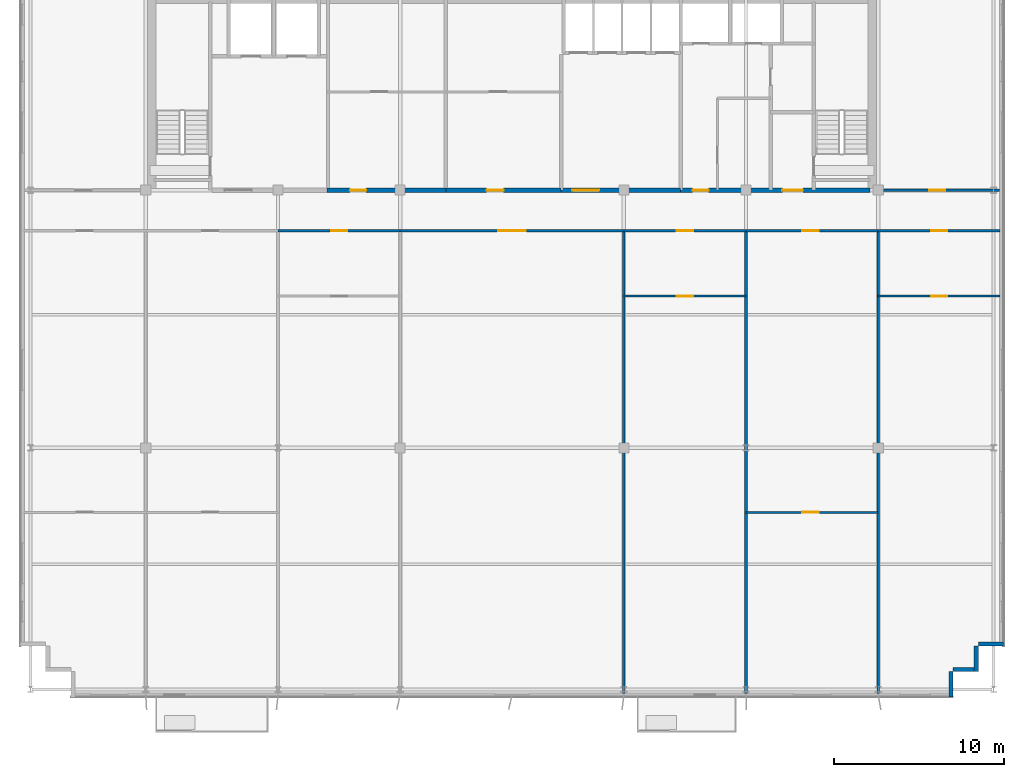
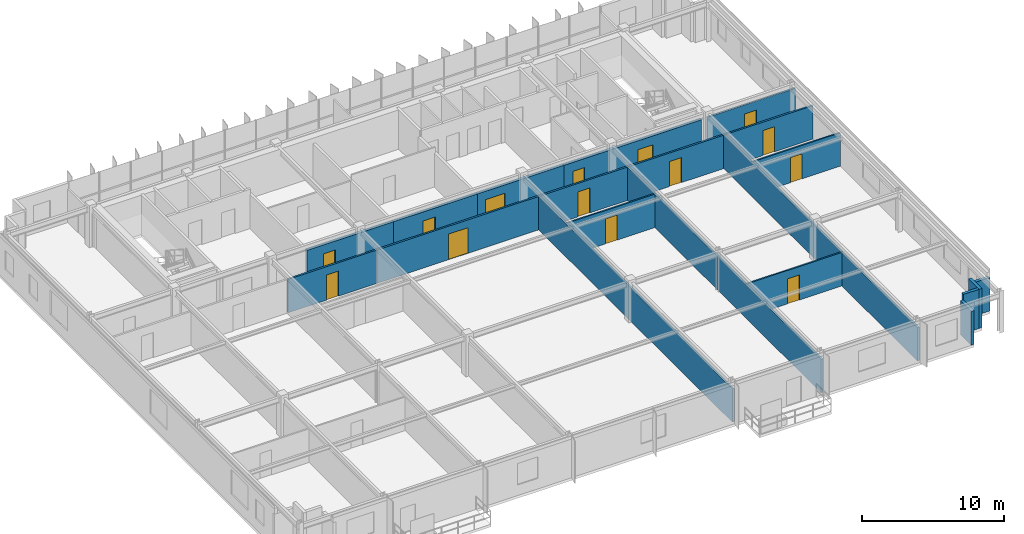
# One storey, part 17 of 21: 20 walls, 14 doors, 14 openings.
"""IFC4 building model written with IfcOpenShell, lengths in metres."""

from ifc_helpers import new_model, si_unit, direction, frame, frame_2d, origin, place, context, subcontext, project, spatial, rectangle, extrude, source, transform, mapped, material, layer, layer_set, type_object, element, fill, save


model = new_model("IFC4")

# Units and contexts
model_context = context("Model", 3, precision=1e-05, world=origin(), true_north=direction((0.0, 1.0)))
body_context = subcontext(model_context, "Body", "Model", "MODEL_VIEW")
ifc_project = project(units=[si_unit("LENGTHUNIT", "METRE"), si_unit("AREAUNIT", "SQUARE_METRE"), si_unit("VOLUMEUNIT", "CUBIC_METRE"), si_unit("PLANEANGLEUNIT", "RADIAN"), si_unit("MASSUNIT", "GRAM", prefix="KILO")], contexts=[model_context])

# Site, building, storey
site_placement = place(None, origin())
site = spatial("IfcSite", under=ifc_project, at=site_placement, CompositionType="ELEMENT")
building_placement = place(site_placement, origin())
building = spatial("IfcBuilding", under=site, at=building_placement, Name="Trelvane Seafront Commons", CompositionType="ELEMENT")
storey_placement = place(building_placement, frame((0.0, 0.0, 252.300048828125)))
storey = spatial("IfcBuildingStorey", under=building, at=storey_placement, Name="L65", CompositionType="ELEMENT", Elevation=252.300048828125)

# Walls
ifc_material_1 = material(Name="Precast concrete C40/50", Category="concrete")
ifc_layer_1 = layer(ifc_material_1, 0.239990234375, Name="ARCH-WALL-EXT240")
ifc_layer_set_1 = layer_set([ifc_layer_1], Name="Precast concrete C40/50")
wall_type_1 = type_object("IfcWallType", Name="ARCH-WALL-EXT240", PredefinedType="SOLIDWALL", material=ifc_layer_set_1)
wall_1_placement = place(storey_placement, frame((66.199951171875, 6.6201171875, 0.0), z_axis=(0.0, 0.0, 1.0), x_axis=(-1.0, 0.0, 0.0)))
element("IfcWall", 1, at=wall_1_placement, inside=storey, type_object=wall_type_1, Name="EW-L65-01313", PredefinedType="SOLIDWALL", context=body_context, shape_type="SweptSolid", body=[
    extrude(rectangle(XDim=1.5, YDim=0.239990234375, at=frame_2d((0.75, 0.0))), origin(), (0.0, 0.0, 1.0), 2.869873046875),
])
for number, where, z_axis, x_axis, name in (
    (2, (64.580078125, 6.5, 0.0), (0.0, 0.0, 1.0), (0.0, -1.0, 0.0), "EW-L65-01314"),
    (3, (64.699951171875, 5.1201171875, 0.0), (0.0, 0.0, 1.0), (-1.0, 0.0, 0.0), "EW-L65-01315"),
):
    element("IfcWall", number, at=place(storey_placement, frame(where, z_axis=z_axis, x_axis=x_axis)), inside=storey, type_object=wall_type_1, Name=name, PredefinedType="SOLIDWALL", context=body_context, shape_type="SweptSolid", body=[
        extrude(rectangle(XDim=1.5, YDim=0.239990234375, at=frame_2d((0.75, 0.0))), origin(), (0.0, 0.0, 1.0), 3.369873046875),
    ])
wall_2_placement = place(storey_placement, frame((63.080078125, 5.0, 0.0), z_axis=(0.0, 0.0, 1.0), x_axis=(0.0, -1.0, 0.0)))
element("IfcWall", 4, at=wall_2_placement, inside=storey, type_object=wall_type_1, Name="EW-L65-01316", PredefinedType="SOLIDWALL", context=body_context, shape_type="SweptSolid", body=[
    extrude(rectangle(XDim=1.5, YDim=0.239990234375, at=frame_2d((0.75, 0.0))), origin(), (0.0, 0.0, 1.0), 2.919921875),
])

# Wall, opening, door
ifc_material_2 = material(Name="Concrete C40/50", Category="concrete")
ifc_layer_2 = layer(ifc_material_2, 0.25, Name="ARCH-WALL-FIRE250")
ifc_layer_set_2 = layer_set([ifc_layer_2], Name="Concrete C40/50")
wall_type_2 = type_object("IfcWallType", Name="ARCH-WALL-FIRE250", PredefinedType="PARTITIONING", material=ifc_layer_set_2)
wall_3_placement = place(storey_placement, frame((26.300048828125, 33.39990234375, 0.0), z_axis=(0.0, 0.0, 1.0), x_axis=(1.0, 0.0, 0.0)))
wall_3 = element("IfcWall", 5, at=wall_3_placement, inside=storey, type_object=wall_type_2, Name="W-L65-CS-FPL-024", PredefinedType="PARTITIONING", context=body_context, shape_type="SweptSolid", body=[
    extrude(rectangle(XDim=7.0, YDim=0.25, at=frame_2d((3.5, 0.0))), origin(), (0.0, 0.0, 1.0), 2.919921875),
])
opening_1_placement = place(wall_3_placement, frame((1.35009765625, 0.0, 0.0)))
opening_1 = element("IfcOpeningElement", 6, at=opening_1_placement, cuts=wall_3, Name="Opening D-L65-12", PredefinedType="OPENING", context=body_context, shape_type="SweptSolid", body=[
    extrude(rectangle(XDim=0.949951171875, YDim=2.14990234375, at=frame_2d((0.47509765625, 1.074951171875))), frame((0.0, 0.135009765625, 0.0), z_axis=(0.0, -1.0, 0.0), x_axis=(1.0, 0.0, 0.0)), (0.0, 0.0, 1.0), 0.27001953125),
])
ifc_material_3 = material(Name="Acoustic timber door leaf", Category="wood")
door_type_1 = type_object("IfcDoorType", Name="ARCH-DR-INT950", OperationType="NOTDEFINED", PredefinedType="DOOR", material=ifc_material_3)
shared_shape_1 = source(origin(), body_context, "Body", "SweptSolid", [
    extrude(rectangle(XDim=0.949951171875, YDim=2.14990234375, at=frame_2d((0.47509765625, 1.074951171875))), frame((0.0, 0.02490234375, 0.0), z_axis=(0.0, -1.0, 0.0), x_axis=(1.0, 0.0, 0.0)), (0.0, 0.0, 1.0), 0.050048828125),
])
door_1_placement = place(opening_1_placement, origin())
door_1 = element("IfcDoor", 7, at=door_1_placement, inside=storey, type_object=door_type_1, Name="L65 Floor Pantry Entrance Door", OperationType="SINGLE_SWING_RIGHT", OverallHeight=2.14990234375, OverallWidth=0.949951171875, PredefinedType="DOOR", context=body_context, shape_type="MappedRepresentation", body=[
    mapped(shared_shape_1, transform((0.0, 0.0, 0.0), x_axis=(1.0, 0.0, 0.0), y_axis=(0.0, 1.0, 0.0), z_axis=(0.0, 0.0, 1.0), scale=1.0)),
])
fill(opening_1, door_1)

wall_4_placement = place(storey_placement, frame((33.300048828125, 33.39990234375, 0.0), z_axis=(0.0, 0.0, 1.0), x_axis=(1.0, 0.0, 0.0)))
wall_4 = element("IfcWall", 8, at=wall_4_placement, inside=storey, type_object=wall_type_2, Name="W-L65-CS-FPM-025", PredefinedType="PARTITIONING", context=body_context, shape_type="SweptSolid", body=[
    extrude(rectangle(XDim=6.800048828125, YDim=0.25, at=frame_2d((3.39990234375, 0.0))), origin(), (0.0, 0.0, 1.0), 2.919921875),
])
opening_2_placement = place(wall_4_placement, frame((2.39990234375, 0.0, 0.0)))
opening_2 = element("IfcOpeningElement", 9, at=opening_2_placement, cuts=wall_4, Name="Opening FD-L65-13", PredefinedType="OPENING", context=body_context, shape_type="SweptSolid", body=[
    extrude(rectangle(XDim=1.0, YDim=2.14990234375, at=frame_2d((0.5, 1.074951171875))), frame((0.0, 0.135009765625, 0.0), z_axis=(0.0, -1.0, 0.0), x_axis=(1.0, 0.0, 0.0)), (0.0, 0.0, 1.0), 0.27001953125),
])
ifc_material_4 = material(Name="Powder-coated aluminium frame", Category="aluminium")
door_type_2 = type_object("IfcDoorType", Name="ARCH-DR-FD60-1000", OperationType="NOTDEFINED", PredefinedType="DOOR", material=ifc_material_4)
shared_shape_2 = source(origin(), body_context, "Body", "SweptSolid", [
    extrude(rectangle(XDim=1.0, YDim=2.14990234375, at=frame_2d((0.5, 1.074951171875))), frame((0.0, 0.02490234375, 0.0), z_axis=(0.0, -1.0, 0.0), x_axis=(1.0, 0.0, 0.0)), (0.0, 0.0, 1.0), 0.050048828125),
])
door_2_placement = place(opening_2_placement, origin())
door_2 = element("IfcDoor", 10, at=door_2_placement, inside=storey, type_object=door_type_2, Name="L65 Trunk Storage Door", OperationType="SINGLE_SWING_LEFT", OverallHeight=2.14990234375, OverallWidth=1.0, PredefinedType="DOOR", context=body_context, shape_type="MappedRepresentation", body=[
    mapped(shared_shape_2, transform((0.0, 0.0, 0.0), x_axis=(1.0, 0.0, 0.0), y_axis=(0.0, 1.0, 0.0), z_axis=(0.0, 0.0, 1.0), scale=1.0)),
])
fill(opening_2, door_2)

wall_5_placement = place(storey_placement, frame((40.10009765625, 33.39990234375, 0.0), z_axis=(0.0, 0.0, 1.0), x_axis=(1.0, 0.0, 0.0)))
wall_5 = element("IfcWall", 11, at=wall_5_placement, inside=storey, type_object=wall_type_2, Name="W-L65-CS-PAX-026", PredefinedType="PARTITIONING", context=body_context, shape_type="SweptSolid", body=[
    extrude(rectangle(XDim=7.0498046875, YDim=0.25, at=frame_2d((3.52490234375, 0.0))), origin(), (0.0, 0.0, 1.0), 2.919921875),
])
opening_3_placement = place(wall_5_placement, frame((0.64990234375, 0.0, 0.0)))
opening_3 = element("IfcOpeningElement", 12, at=opening_3_placement, cuts=wall_5, Name="Opening FD-L65-14", PredefinedType="OPENING", context=body_context, shape_type="SweptSolid", body=[
    extrude(rectangle(XDim=1.60009765625, YDim=2.199951171875, at=frame_2d((0.800048828125, 1.10009765625))), frame((0.0, 0.135009765625, 0.0), z_axis=(0.0, -1.0, 0.0), x_axis=(1.0, 0.0, 0.0)), (0.0, 0.0, 1.0), 0.27001953125),
])
door_type_3 = type_object("IfcDoorType", Name="ARCH-DR-FD60-1600", OperationType="DOUBLE_DOOR_SINGLE_SWING", PredefinedType="DOOR", material=ifc_material_4)
shared_shape_3 = source(origin(), body_context, "Body", "SweptSolid", [
    extrude(rectangle(XDim=1.60009765625, YDim=2.199951171875, at=frame_2d((0.800048828125, 1.10009765625))), frame((0.0, 0.02490234375, 0.0), z_axis=(0.0, -1.0, 0.0), x_axis=(1.0, 0.0, 0.0)), (0.0, 0.0, 1.0), 0.050048828125),
])
door_3_placement = place(opening_3_placement, origin())
door_3 = element("IfcDoor", 13, at=door_3_placement, inside=storey, type_object=door_type_3, Name="L65 High-Rise Lift Lobby Double Door", OperationType="DOUBLE_DOOR_SINGLE_SWING", OverallHeight=2.199951171875, OverallWidth=1.60009765625, PredefinedType="DOOR", context=body_context, shape_type="MappedRepresentation", body=[
    mapped(shared_shape_3, transform((0.0, 0.0, 0.0), x_axis=(1.0, 0.0, 0.0), y_axis=(0.0, 1.0, 0.0), z_axis=(0.0, 0.0, 1.0), scale=1.0)),
])
fill(opening_3, door_3)

# Wall, openings, doors
wall_6_placement = place(storey_placement, frame((47.14990234375, 33.39990234375, 0.0), z_axis=(0.0, 0.0, 1.0), x_axis=(1.0, 0.0, 0.0)))
wall_6 = element("IfcWall", 14, at=wall_6_placement, inside=storey, type_object=wall_type_2, Name="W-L65-CS-EAST-034", PredefinedType="PARTITIONING", context=body_context, shape_type="SweptSolid", body=[
    extrude(rectangle(XDim=11.150146484375, YDim=0.25, at=frame_2d((5.5751953125, 0.0))), origin(), (0.0, 0.0, 1.0), 2.919921875),
])
opening_4_placement = place(wall_6_placement, frame((0.699951171875, 0.0, 0.0)))
opening_4 = element("IfcOpeningElement", 15, at=opening_4_placement, cuts=wall_6, Name="Opening FD-L65-19", PredefinedType="OPENING", context=body_context, shape_type="SweptSolid", body=[
    extrude(rectangle(XDim=0.949951171875, YDim=2.14990234375, at=frame_2d((0.47509765625, 1.074951171875))), frame((0.0, 0.135009765625, 0.0), z_axis=(0.0, -1.0, 0.0), x_axis=(1.0, 0.0, 0.0)), (0.0, 0.0, 1.0), 0.27001953125),
])
opening_5_placement = place(wall_6_placement, frame((6.0, 0.0, 0.0)))
opening_5 = element("IfcOpeningElement", 16, at=opening_5_placement, cuts=wall_6, Name="Opening FD-L65-20", PredefinedType="OPENING", context=body_context, shape_type="SweptSolid", body=[
    extrude(rectangle(XDim=1.199951171875, YDim=2.14990234375, at=frame_2d((0.60009765625, 1.074951171875))), frame((0.0, 0.135009765625, 0.0), z_axis=(0.0, -1.0, 0.0), x_axis=(1.0, 0.0, 0.0)), (0.0, 0.0, 1.0), 0.27001953125),
])
door_type_4 = type_object("IfcDoorType", Name="ARCH-DR-FD60-950", OperationType="NOTDEFINED", PredefinedType="DOOR", material=ifc_material_4)
door_4_placement = place(opening_4_placement, origin())
door_4 = element("IfcDoor", 17, at=door_4_placement, inside=storey, type_object=door_type_4, Name="L65 Core Service Lobby Door", OperationType="SINGLE_SWING_LEFT", OverallHeight=2.14990234375, OverallWidth=0.949951171875, PredefinedType="DOOR", context=body_context, shape_type="MappedRepresentation", body=[
    mapped(shared_shape_1, transform((0.0, 0.0, 0.0), x_axis=(1.0, 0.0, 0.0), y_axis=(0.0, 1.0, 0.0), z_axis=(0.0, 0.0, 1.0), scale=1.0)),
])
fill(opening_4, door_4)
door_type_5 = type_object("IfcDoorType", Name="ARCH-DR-FD60-1200", OperationType="NOTDEFINED", PredefinedType="DOOR", material=ifc_material_4)
shared_shape_4 = source(origin(), body_context, "Body", "SweptSolid", [
    extrude(rectangle(XDim=1.199951171875, YDim=2.14990234375, at=frame_2d((0.60009765625, 1.074951171875))), frame((0.0, 0.02490234375, 0.0), z_axis=(0.0, -1.0, 0.0), x_axis=(1.0, 0.0, 0.0)), (0.0, 0.0, 1.0), 0.050048828125),
])
door_5_placement = place(opening_5_placement, origin())
door_5 = element("IfcDoor", 18, at=door_5_placement, inside=storey, type_object=door_type_5, Name="L65 East Stair Vestibule Fire Door", OperationType="SINGLE_SWING_RIGHT", OverallHeight=2.14990234375, OverallWidth=1.199951171875, PredefinedType="DOOR", context=body_context, shape_type="MappedRepresentation", body=[
    mapped(shared_shape_4, transform((0.0, 0.0, 0.0), x_axis=(1.0, 0.0, 0.0), y_axis=(0.0, 1.0, 0.0), z_axis=(0.0, 0.0, 1.0), scale=1.0)),
])
fill(opening_5, door_5)

# Wall, opening, door
ifc_material_5 = material(Name="Gypsum Drywall Acoustic Partition")
ifc_layer_3 = layer(ifc_material_5, 0.1201171875, Name="ARCH-WALL-PART120")
ifc_layer_set_3 = layer_set([ifc_layer_3], Name="Gypsum Drywall Acoustic Partition")
wall_type_3 = type_object("IfcWallType", Name="ARCH-WALL-PART120", PredefinedType="PARTITIONING", material=ifc_layer_set_3)
wall_7_placement = place(storey_placement, frame((43.800048828125, 27.14990234375, 0.0), z_axis=(0.0, 0.0, 1.0), x_axis=(1.0, 0.0, 0.0)))
wall_7 = element("IfcWall", 19, at=wall_7_placement, inside=storey, type_object=wall_type_3, Name="W-L65-U5-DIV-054", PredefinedType="PARTITIONING", context=body_context, shape_type="SweptSolid", body=[
    extrude(rectangle(XDim=7.199951171875, YDim=0.1201171875, at=frame_2d((3.60009765625, 0.0))), origin(), (0.0, 0.0, 1.0), 2.869873046875),
])
opening_6_placement = place(wall_7_placement, frame((3.125, 0.0, 0.0)))
opening_6 = element("IfcOpeningElement", 20, at=opening_6_placement, cuts=wall_7, Name="Opening D-L65-34", PredefinedType="OPENING", context=body_context, shape_type="SweptSolid", body=[
    extrude(rectangle(XDim=0.949951171875, YDim=2.14990234375, at=frame_2d((0.47509765625, 1.074951171875))), frame((0.0, 0.070068359375, 0.0), z_axis=(0.0, -1.0, 0.0), x_axis=(1.0, 0.0, 0.0)), (0.0, 0.0, 1.0), 0.14013671875),
])
door_6_placement = place(opening_6_placement, origin())
door_6 = element("IfcDoor", 21, at=door_6_placement, inside=storey, type_object=door_type_1, Name="L65 Door 34", OperationType="SINGLE_SWING_RIGHT", OverallHeight=2.14990234375, OverallWidth=0.949951171875, PredefinedType="DOOR", context=body_context, shape_type="MappedRepresentation", body=[
    mapped(shared_shape_1, transform((0.0, 0.0, 0.0), x_axis=(1.0, 0.0, 0.0), y_axis=(0.0, 1.0, 0.0), z_axis=(0.0, 0.0, 1.0), scale=1.0)),
])
fill(opening_6, door_6)

wall_8_placement = place(storey_placement, frame((51.0, 14.39990234375, 0.0), z_axis=(0.0, 0.0, 1.0), x_axis=(1.0, 0.0, 0.0)))
wall_8 = element("IfcWall", 22, at=wall_8_placement, inside=storey, type_object=wall_type_3, Name="W-L65-U6-DIV-056", PredefinedType="PARTITIONING", context=body_context, shape_type="SweptSolid", body=[
    extrude(rectangle(XDim=7.800048828125, YDim=0.1201171875, at=frame_2d((3.89990234375, 0.0))), origin(), (0.0, 0.0, 1.0), 2.869873046875),
])
opening_7_placement = place(wall_8_placement, frame((3.3330078125, 0.0, 0.0)))
opening_7 = element("IfcOpeningElement", 23, at=opening_7_placement, cuts=wall_8, Name="Opening D-L65-36", PredefinedType="OPENING", context=body_context, shape_type="SweptSolid", body=[
    extrude(rectangle(XDim=0.949951171875, YDim=2.14990234375, at=frame_2d((0.47509765625, 1.074951171875))), frame((0.0, 0.070068359375, 0.0), z_axis=(0.0, -1.0, 0.0), x_axis=(1.0, 0.0, 0.0)), (0.0, 0.0, 1.0), 0.14013671875),
])
door_7_placement = place(opening_7_placement, origin())
door_7 = element("IfcDoor", 24, at=door_7_placement, inside=storey, type_object=door_type_1, Name="L65 Door 36", OperationType="SINGLE_SWING_RIGHT", OverallHeight=2.14990234375, OverallWidth=0.949951171875, PredefinedType="DOOR", context=body_context, shape_type="MappedRepresentation", body=[
    mapped(shared_shape_1, transform((0.0, 0.0, 0.0), x_axis=(1.0, 0.0, 0.0), y_axis=(0.0, 1.0, 0.0), z_axis=(0.0, 0.0, 1.0), scale=1.0)),
])
fill(opening_7, door_7)

wall_9_placement = place(storey_placement, frame((58.800048828125, 27.14990234375, 0.0), z_axis=(0.0, 0.0, 1.0), x_axis=(1.0, 0.0, 0.0)))
wall_9 = element("IfcWall", 25, at=wall_9_placement, inside=storey, type_object=wall_type_3, Name="W-L65-U7-DIV-058", PredefinedType="PARTITIONING", context=body_context, shape_type="SweptSolid", body=[
    extrude(rectangle(XDim=7.175048828125, YDim=0.1201171875, at=frame_2d((3.58740234375, 0.0))), origin(), (0.0, 0.0, 1.0), 2.869873046875),
])
opening_8_placement = place(wall_9_placement, frame((3.112060546875, 0.0, 0.0)))
opening_8 = element("IfcOpeningElement", 26, at=opening_8_placement, cuts=wall_9, Name="Opening D-L65-38", PredefinedType="OPENING", context=body_context, shape_type="SweptSolid", body=[
    extrude(rectangle(XDim=0.949951171875, YDim=2.14990234375, at=frame_2d((0.47509765625, 1.074951171875))), frame((0.0, 0.070068359375, 0.0), z_axis=(0.0, -1.0, 0.0), x_axis=(1.0, 0.0, 0.0)), (0.0, 0.0, 1.0), 0.14013671875),
])
door_8_placement = place(opening_8_placement, origin())
door_8 = element("IfcDoor", 27, at=door_8_placement, inside=storey, type_object=door_type_1, Name="L65 Door 38", OperationType="SINGLE_SWING_RIGHT", OverallHeight=2.14990234375, OverallWidth=0.949951171875, PredefinedType="DOOR", context=body_context, shape_type="MappedRepresentation", body=[
    mapped(shared_shape_1, transform((0.0, 0.0, 0.0), x_axis=(1.0, 0.0, 0.0), y_axis=(0.0, 1.0, 0.0), z_axis=(0.0, 0.0, 1.0), scale=1.0)),
])
fill(opening_8, door_8)

ifc_layer_4 = layer(ifc_material_5, 0.14990234375, Name="ARCH-WALL-PART150")
ifc_layer_set_4 = layer_set([ifc_layer_4], Name="Gypsum Drywall Acoustic Partition")
wall_type_4 = type_object("IfcWallType", Name="ARCH-WALL-PART150", PredefinedType="PARTITIONING", material=ifc_layer_set_4)
wall_10_placement = place(storey_placement, frame((58.800048828125, 33.39990234375, 0.0), z_axis=(0.0, 0.0, 1.0), x_axis=(1.0, 0.0, 0.0)))
wall_10 = element("IfcWall", 28, at=wall_10_placement, inside=storey, type_object=wall_type_4, Name="W-L65-NE-ENT-036", PredefinedType="PARTITIONING", context=body_context, shape_type="SweptSolid", body=[
    extrude(rectangle(XDim=7.14990234375, YDim=0.14990234375, at=frame_2d((3.574951171875, 0.0))), origin(), (0.0, 0.0, 1.0), 2.919921875),
])
opening_9_placement = place(wall_10_placement, frame((3.0, 0.0, 0.0)))
opening_9 = element("IfcOpeningElement", 29, at=opening_9_placement, cuts=wall_10, Name="Opening FD-L65-22", PredefinedType="OPENING", context=body_context, shape_type="SweptSolid", body=[
    extrude(rectangle(XDim=0.949951171875, YDim=2.14990234375, at=frame_2d((0.47509765625, 1.074951171875))), frame((0.0, 0.0849609375, 0.0), z_axis=(0.0, -1.0, 0.0), x_axis=(1.0, 0.0, 0.0)), (0.0, 0.0, 1.0), 0.169921875),
])
door_9_placement = place(opening_9_placement, origin())
door_9 = element("IfcDoor", 30, at=door_9_placement, inside=storey, type_object=door_type_4, Name="L65 NE Suite Entrance Door", OperationType="SINGLE_SWING_RIGHT", OverallHeight=2.14990234375, OverallWidth=0.949951171875, PredefinedType="DOOR", context=body_context, shape_type="MappedRepresentation", body=[
    mapped(shared_shape_1, transform((0.0, 0.0, 0.0), x_axis=(1.0, 0.0, 0.0), y_axis=(0.0, 1.0, 0.0), z_axis=(0.0, 0.0, 1.0), scale=1.0)),
])
fill(opening_9, door_9)

# Walls
for number, where, z_axis, x_axis, name in (
    (31, (43.800048828125, 3.72509765625, 0.0), (0.0, 0.0, 1.0), (0.0, 1.0, 0.0), "W-L65-PW-4-043"),
    (32, (51.0, 3.72509765625, 0.0), (0.0, 0.0, 1.0), (0.0, 1.0, 0.0), "W-L65-PW-5-044"),
    (33, (58.800048828125, 3.72509765625, 0.0), (0.0, 0.0, 1.0), (0.0, 1.0, 0.0), "W-L65-PW-6-045"),
):
    element("IfcWall", number, at=place(storey_placement, frame(where, z_axis=z_axis, x_axis=x_axis)), inside=storey, type_object=wall_type_4, Name=name, PredefinedType="PARTITIONING", context=body_context, shape_type="SweptSolid", body=[
        extrude(rectangle(XDim=27.27490234375, YDim=0.14990234375, at=frame_2d((13.637451171875, 0.0))), origin(), (0.0, 0.0, 1.0), 2.869873046875),
    ])

# Wall, opening, door
wall_11_placement = place(storey_placement, frame((23.39990234375, 31.0, 0.0), z_axis=(0.0, 0.0, 1.0), x_axis=(1.0, 0.0, 0.0)))
wall_11 = element("IfcWall", 34, at=wall_11_placement, inside=storey, type_object=wall_type_4, Name="W-L65-CS-BAY-3-050", PredefinedType="PARTITIONING", context=body_context, shape_type="SweptSolid", body=[
    extrude(rectangle(XDim=7.2001953125, YDim=0.14990234375, at=frame_2d((3.60009765625, 0.0))), origin(), (0.0, 0.0, 1.0), 2.869873046875),
])
opening_10_placement = place(wall_11_placement, frame((3.125, 0.0, 0.0)))
opening_10 = element("IfcOpeningElement", 35, at=opening_10_placement, cuts=wall_11, Name="Opening FD-L65-30", PredefinedType="OPENING", context=body_context, shape_type="SweptSolid", body=[
    extrude(rectangle(XDim=0.949951171875, YDim=2.14990234375, at=frame_2d((0.47509765625, 1.074951171875))), frame((0.0, 0.0849609375, 0.0), z_axis=(0.0, -1.0, 0.0), x_axis=(1.0, 0.0, 0.0)), (0.0, 0.0, 1.0), 0.169921875),
])
door_10_placement = place(opening_10_placement, origin())
door_10 = element("IfcDoor", 36, at=door_10_placement, inside=storey, type_object=door_type_4, Name="L65 Bay 03 Entrance Door", OperationType="SINGLE_SWING_RIGHT", OverallHeight=2.14990234375, OverallWidth=0.949951171875, PredefinedType="DOOR", context=body_context, shape_type="MappedRepresentation", body=[
    mapped(shared_shape_1, transform((0.0, 0.0, 0.0), x_axis=(1.0, 0.0, 0.0), y_axis=(0.0, 1.0, 0.0), z_axis=(0.0, 0.0, 1.0), scale=1.0)),
])
fill(opening_10, door_10)

wall_12_placement = place(storey_placement, frame((30.60009765625, 31.0, 0.0), z_axis=(0.0, 0.0, 1.0), x_axis=(1.0, 0.0, 0.0)))
wall_12 = element("IfcWall", 37, at=wall_12_placement, inside=storey, type_object=wall_type_4, Name="W-L65-CS-BAY-4-052", PredefinedType="PARTITIONING", context=body_context, shape_type="SweptSolid", body=[
    extrude(rectangle(XDim=13.199951171875, YDim=0.14990234375, at=frame_2d((6.60009765625, 0.0))), origin(), (0.0, 0.0, 1.0), 2.869873046875),
])
opening_11_placement = place(wall_12_placement, frame((5.800048828125, 0.0, 0.0)))
opening_11 = element("IfcOpeningElement", 38, at=opening_11_placement, cuts=wall_12, Name="Opening D-L65-32", PredefinedType="OPENING", context=body_context, shape_type="SweptSolid", body=[
    extrude(rectangle(XDim=1.60009765625, YDim=2.199951171875, at=frame_2d((0.800048828125, 1.10009765625))), frame((0.0, 0.0849609375, 0.0), z_axis=(0.0, -1.0, 0.0), x_axis=(1.0, 0.0, 0.0)), (0.0, 0.0, 1.0), 0.169921875),
])
door_type_6 = type_object("IfcDoorType", Name="ARCH-DR-GLZ1600", OperationType="DOUBLE_DOOR_SINGLE_SWING", PredefinedType="DOOR", material=ifc_material_3)
door_11_placement = place(opening_11_placement, origin())
door_11 = element("IfcDoor", 39, at=door_11_placement, inside=storey, type_object=door_type_6, Name="L65 Commons Lounge 04 Door", OperationType="DOUBLE_DOOR_SINGLE_SWING", OverallHeight=2.199951171875, OverallWidth=1.60009765625, PredefinedType="DOOR", context=body_context, shape_type="MappedRepresentation", body=[
    mapped(shared_shape_3, transform((0.0, 0.0, 0.0), x_axis=(1.0, 0.0, 0.0), y_axis=(0.0, 1.0, 0.0), z_axis=(0.0, 0.0, 1.0), scale=1.0)),
])
fill(opening_11, door_11)

wall_13_placement = place(storey_placement, frame((43.800048828125, 31.0, 0.0), z_axis=(0.0, 0.0, 1.0), x_axis=(1.0, 0.0, 0.0)))
wall_13 = element("IfcWall", 40, at=wall_13_placement, inside=storey, type_object=wall_type_4, Name="W-L65-CS-BAY-5-053", PredefinedType="PARTITIONING", context=body_context, shape_type="SweptSolid", body=[
    extrude(rectangle(XDim=7.199951171875, YDim=0.14990234375, at=frame_2d((3.60009765625, 0.0))), origin(), (0.0, 0.0, 1.0), 2.869873046875),
])
opening_12_placement = place(wall_13_placement, frame((3.125, 0.0, 0.0)))
opening_12 = element("IfcOpeningElement", 41, at=opening_12_placement, cuts=wall_13, Name="Opening FD-L65-33", PredefinedType="OPENING", context=body_context, shape_type="SweptSolid", body=[
    extrude(rectangle(XDim=0.949951171875, YDim=2.14990234375, at=frame_2d((0.47509765625, 1.074951171875))), frame((0.0, 0.0849609375, 0.0), z_axis=(0.0, -1.0, 0.0), x_axis=(1.0, 0.0, 0.0)), (0.0, 0.0, 1.0), 0.169921875),
])
door_12_placement = place(opening_12_placement, origin())
door_12 = element("IfcDoor", 42, at=door_12_placement, inside=storey, type_object=door_type_4, Name="L65 Bay 05 Entrance Door", OperationType="SINGLE_SWING_LEFT", OverallHeight=2.14990234375, OverallWidth=0.949951171875, PredefinedType="DOOR", context=body_context, shape_type="MappedRepresentation", body=[
    mapped(shared_shape_1, transform((0.0, 0.0, 0.0), x_axis=(1.0, 0.0, 0.0), y_axis=(0.0, 1.0, 0.0), z_axis=(0.0, 0.0, 1.0), scale=1.0)),
])
fill(opening_12, door_12)

wall_14_placement = place(storey_placement, frame((51.0, 31.0, 0.0), z_axis=(0.0, 0.0, 1.0), x_axis=(1.0, 0.0, 0.0)))
wall_14 = element("IfcWall", 43, at=wall_14_placement, inside=storey, type_object=wall_type_4, Name="W-L65-CS-BAY-6-055", PredefinedType="PARTITIONING", context=body_context, shape_type="SweptSolid", body=[
    extrude(rectangle(XDim=7.800048828125, YDim=0.14990234375, at=frame_2d((3.89990234375, 0.0))), origin(), (0.0, 0.0, 1.0), 2.869873046875),
])
opening_13_placement = place(wall_14_placement, frame((3.3330078125, 0.0, 0.0)))
opening_13 = element("IfcOpeningElement", 44, at=opening_13_placement, cuts=wall_14, Name="Opening FD-L65-35", PredefinedType="OPENING", context=body_context, shape_type="SweptSolid", body=[
    extrude(rectangle(XDim=0.949951171875, YDim=2.14990234375, at=frame_2d((0.47509765625, 1.074951171875))), frame((0.0, 0.0849609375, 0.0), z_axis=(0.0, -1.0, 0.0), x_axis=(1.0, 0.0, 0.0)), (0.0, 0.0, 1.0), 0.169921875),
])
door_13_placement = place(opening_13_placement, origin())
door_13 = element("IfcDoor", 45, at=door_13_placement, inside=storey, type_object=door_type_4, Name="L65 Bay 06 Entrance Door", OperationType="SINGLE_SWING_LEFT", OverallHeight=2.14990234375, OverallWidth=0.949951171875, PredefinedType="DOOR", context=body_context, shape_type="MappedRepresentation", body=[
    mapped(shared_shape_1, transform((0.0, 0.0, 0.0), x_axis=(1.0, 0.0, 0.0), y_axis=(0.0, 1.0, 0.0), z_axis=(0.0, 0.0, 1.0), scale=1.0)),
])
fill(opening_13, door_13)

wall_15_placement = place(storey_placement, frame((58.800048828125, 31.0, 0.0), z_axis=(0.0, 0.0, 1.0), x_axis=(1.0, 0.0, 0.0)))
wall_15 = element("IfcWall", 46, at=wall_15_placement, inside=storey, type_object=wall_type_4, Name="W-L65-CS-BAY-7-057", PredefinedType="PARTITIONING", context=body_context, shape_type="SweptSolid", body=[
    extrude(rectangle(XDim=7.175048828125, YDim=0.14990234375, at=frame_2d((3.58740234375, 0.0))), origin(), (0.0, 0.0, 1.0), 2.869873046875),
])
opening_14_placement = place(wall_15_placement, frame((3.112060546875, 0.0, 0.0)))
opening_14 = element("IfcOpeningElement", 47, at=opening_14_placement, cuts=wall_15, Name="Opening FD-L65-37", PredefinedType="OPENING", context=body_context, shape_type="SweptSolid", body=[
    extrude(rectangle(XDim=0.949951171875, YDim=2.14990234375, at=frame_2d((0.47509765625, 1.074951171875))), frame((0.0, 0.0849609375, 0.0), z_axis=(0.0, -1.0, 0.0), x_axis=(1.0, 0.0, 0.0)), (0.0, 0.0, 1.0), 0.169921875),
])
door_14_placement = place(opening_14_placement, origin())
door_14 = element("IfcDoor", 48, at=door_14_placement, inside=storey, type_object=door_type_4, Name="L65 Bay 07 Entrance Door", OperationType="SINGLE_SWING_LEFT", OverallHeight=2.14990234375, OverallWidth=0.949951171875, PredefinedType="DOOR", context=body_context, shape_type="MappedRepresentation", body=[
    mapped(shared_shape_1, transform((0.0, 0.0, 0.0), x_axis=(1.0, 0.0, 0.0), y_axis=(0.0, 1.0, 0.0), z_axis=(0.0, 0.0, 1.0), scale=1.0)),
])
fill(opening_14, door_14)

save(model, "model.ifc")
